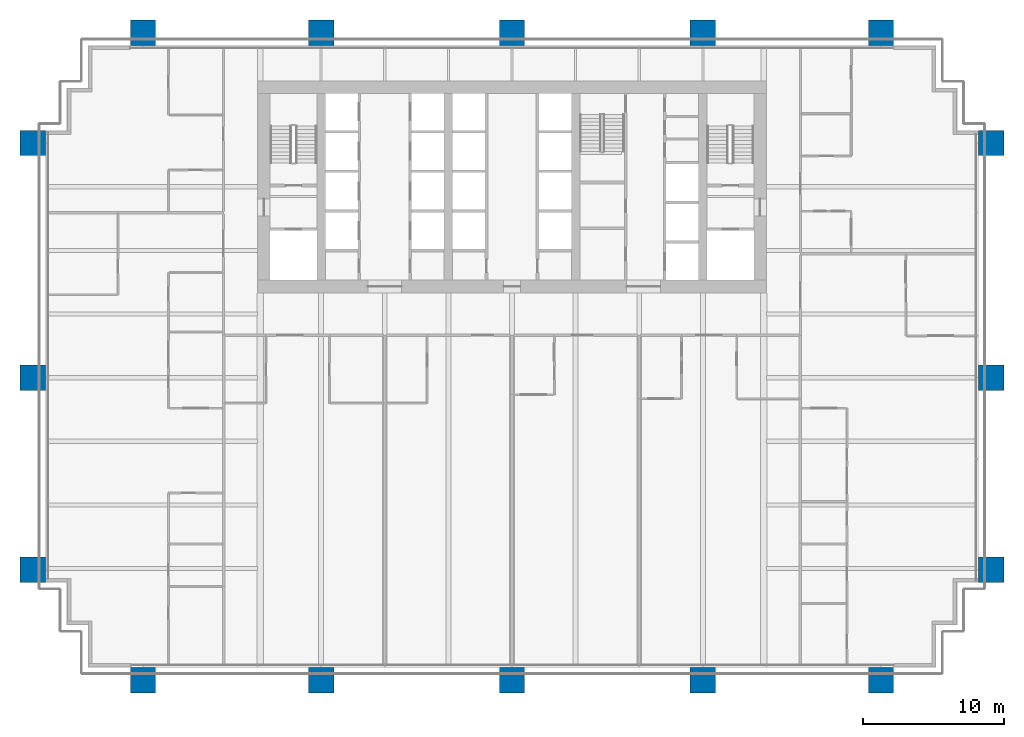
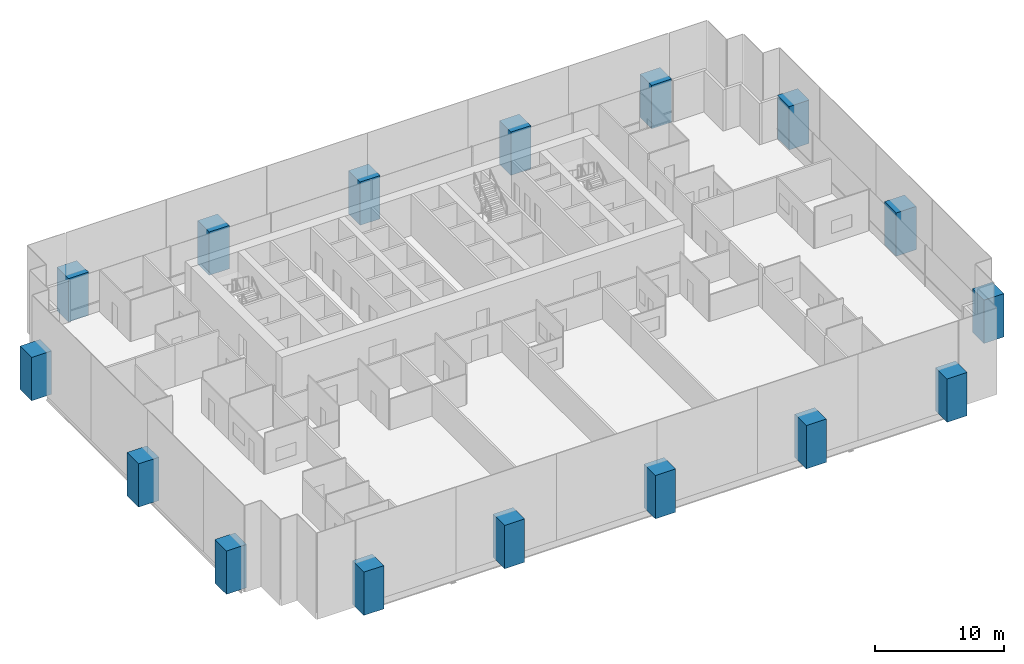
# One storey, part 1 of 18: 16 columns.
"""IFC4 building model written with IfcOpenShell, lengths in metres."""

from ifc_helpers import new_model, si_unit, direction, frame, origin, origin_2d, place, context, subcontext, project, spatial, rectangle, extrude, material, material_profile, profile_set, type_object, element, save


model = new_model("IFC4")

# Units and contexts
model_context = context("Model", 3, precision=1e-05, world=origin(), true_north=direction((0.0, 1.0)))
body_context = subcontext(model_context, "Body", "Model", "MODEL_VIEW")
ifc_project = project(units=[si_unit("LENGTHUNIT", "METRE"), si_unit("AREAUNIT", "SQUARE_METRE"), si_unit("VOLUMEUNIT", "CUBIC_METRE"), si_unit("PLANEANGLEUNIT", "RADIAN"), si_unit("MASSUNIT", "GRAM", prefix="KILO")], contexts=[model_context])

# Site, building, storey
site_placement = place(None, origin())
site = spatial("IfcSite", under=ifc_project, at=site_placement, CompositionType="ELEMENT")
building_placement = place(site_placement, origin())
building = spatial("IfcBuilding", under=site, at=building_placement, Name="Rattan Terrace Tower", CompositionType="ELEMENT")
storey_placement = place(building_placement, frame((0.0, 0.0, 32.39990234375)))
storey = spatial("IfcBuildingStorey", under=building, at=storey_placement, Name="L06", CompositionType="ELEMENT", Elevation=32.39990234375)

# Columns
ifc_material = material(Name="Concrete C60/75", Category="concrete")
ifc_material_profile = material_profile(ifc_material, rectangle(XDim=1.800048828125, YDim=1.800048828125, at=origin_2d()), Name="CFT 1800x1800")
ifc_profile_set = profile_set([ifc_material_profile], Name="Concrete C60/75")
column_type = type_object("IfcColumnType", Name="Frame exoskeleton column CFT 1800x1800", PredefinedType="COLUMN", material=ifc_profile_set)
for number, where, z_axis, x_axis, name in (
    (1, (-26.10009765625, -34.89990234375, -0.199951171875), (0.0, 0.0, 1.0), (1.0, 0.0, 0.0), "exo-L06-001"),
    (2, (-13.5, -34.89990234375, -0.199951171875), (0.0, 0.0, 1.0), (1.0, 0.0, 0.0), "exo-L06-002"),
    (3, (0.0, -34.89990234375, -0.199951171875), (0.0, 0.0, 1.0), (1.0, 0.0, 0.0), "exo-L06-003"),
    (4, (13.5, -34.89990234375, -0.199951171875), (0.0, 0.0, 1.0), (1.0, 0.0, 0.0), "exo-L06-004"),
    (5, (26.10009765625, -34.89990234375, -0.199951171875), (0.0, 0.0, 1.0), (1.0, 0.0, 0.0), "exo-L06-005"),
    (6, (-33.89990234375, -27.10009765625, -0.199951171875), (0.0, 0.0, 1.0), (0.0, 1.0, 0.0), "exo-L06-006"),
    (7, (33.89990234375, -27.10009765625, -0.199951171875), (0.0, 0.0, 1.0), (0.0, 1.0, 0.0), "exo-L06-007"),
    (8, (-33.89990234375, -13.5, -0.199951171875), (0.0, 0.0, 1.0), (0.0, 1.0, 0.0), "exo-L06-008"),
    (9, (33.89990234375, -13.5, -0.199951171875), (0.0, 0.0, 1.0), (0.0, 1.0, 0.0), "exo-L06-009"),
    (10, (-33.89990234375, 3.10009765625, -0.199951171875), (0.0, 0.0, 1.0), (0.0, 1.0, 0.0), "exo-L06-010"),
    (11, (33.89990234375, 3.10009765625, -0.199951171875), (0.0, 0.0, 1.0), (0.0, 1.0, 0.0), "exo-L06-011"),
    (12, (-26.10009765625, 10.89990234375, -0.199951171875), (0.0, 0.0, 1.0), (1.0, 0.0, 0.0), "exo-L06-012"),
    (13, (-13.5, 10.89990234375, -0.199951171875), (0.0, 0.0, 1.0), (1.0, 0.0, 0.0), "exo-L06-013"),
    (14, (0.0, 10.89990234375, -0.199951171875), (0.0, 0.0, 1.0), (1.0, 0.0, 0.0), "exo-L06-014"),
    (15, (13.5, 10.89990234375, -0.199951171875), (0.0, 0.0, 1.0), (1.0, 0.0, 0.0), "exo-L06-015"),
    (16, (26.10009765625, 10.89990234375, -0.199951171875), (0.0, 0.0, 1.0), (1.0, 0.0, 0.0), "exo-L06-016"),
):
    element("IfcColumn", number, at=place(storey_placement, frame(where, z_axis=z_axis, x_axis=x_axis)), inside=storey, type_object=column_type, Name=name, PredefinedType="COLUMN", context=body_context, shape_type="SweptSolid", body=[
        extrude(rectangle(XDim=1.800048828125, YDim=1.800048828125, at=origin_2d()), origin(), (0.0, 0.0, 1.0), 4.10009765625),
    ])

save(model, "model.ifc")
